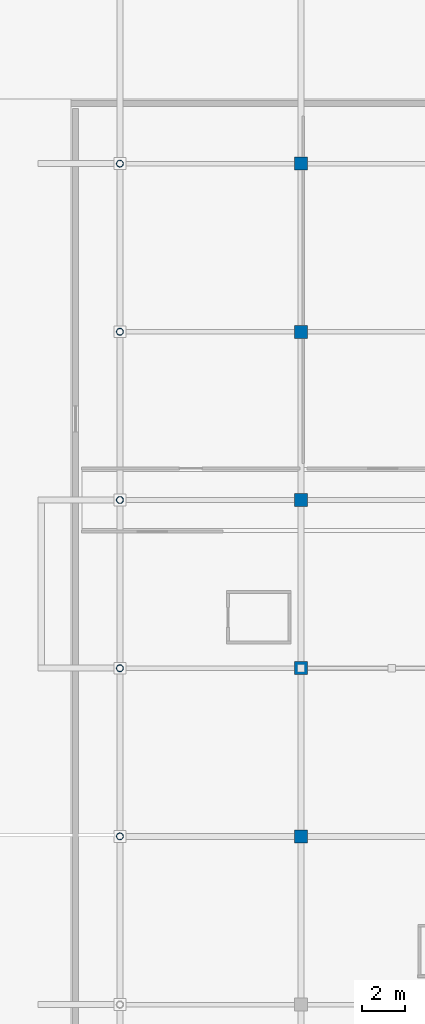
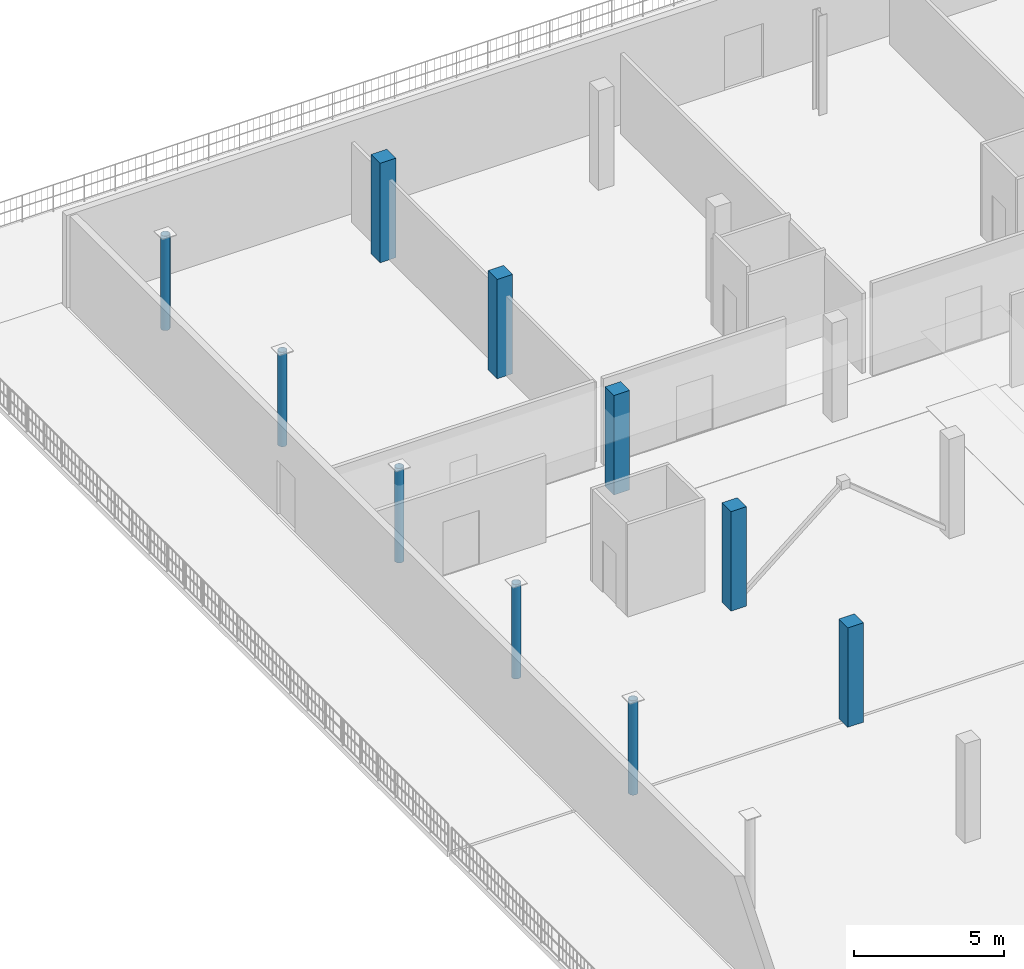
# One storey, part 2 of 25: 10 columns.
"""IFC4 building model written with IfcOpenShell, lengths in metres."""

from ifc_helpers import new_model, si_unit, direction, frame, origin, origin_2d, place, context, subcontext, project, spatial, rectangle, hollow_circle, extrude, material, material_profile, profile_set, type_object, element, save


model = new_model("IFC4")

# Units and contexts
model_context = context("Model", 3, precision=1e-05, world=origin(), true_north=direction((0.0, 1.0)))
body_context = subcontext(model_context, "Body", "Model", "MODEL_VIEW")
ifc_project = project(units=[si_unit("LENGTHUNIT", "METRE"), si_unit("AREAUNIT", "SQUARE_METRE"), si_unit("VOLUMEUNIT", "CUBIC_METRE"), si_unit("PLANEANGLEUNIT", "RADIAN"), si_unit("MASSUNIT", "GRAM", prefix="KILO")], contexts=[model_context])

# Site, building, storey
site_placement = place(None, origin())
site = spatial("IfcSite", under=ifc_project, at=site_placement, CompositionType="ELEMENT")
building_placement = place(site_placement, origin())
building = spatial("IfcBuilding", under=site, at=building_placement, Name="Nabrawat Pavilion Hospital", CompositionType="ELEMENT")
storey_placement = place(building_placement, frame((0.0, 0.0, 22.949951171875)))
storey = spatial("IfcBuildingStorey", under=building, at=storey_placement, Name="L05", CompositionType="ELEMENT", Elevation=22.949951171875)

# Columns
ifc_material_1 = material(Name="Steel S355", Category="steel")
ifc_material_profile_1 = material_profile(ifc_material_1, hollow_circle(Radius=0.161865234375, WallThickness=0.01611328125, at=origin_2d()), Name="CHS 323.9x16")
ifc_profile_set_1 = profile_set([ifc_material_profile_1], Name="Steel S355")
column_type_1 = type_object("IfcColumnType", Name="Helipad Terrace Colonnade Column CHS 323.9x16", PredefinedType="COLUMN", material=ifc_profile_set_1)
for number, where, z_axis, x_axis, name in (
    (1, (142.800048828125, 85.800048828125, 0.0), (0.0, 0.0, 1.0), (1.0, 0.0, 0.0), "L05 Structural Column G-18-M1"),
    (2, (142.800048828125, 93.60009765625, 0.0), (0.0, 0.0, 1.0), (1.0, 0.0, 0.0), "L05 Structural Column G-18-N"),
    (3, (142.800048828125, 101.39990234375, 0.0), (0.0, 0.0, 1.0), (1.0, 0.0, 0.0), "L05 Structural Column G-18-P"),
    (4, (142.800048828125, 109.199951171875, 0.0), (0.0, 0.0, 1.0), (1.0, 0.0, 0.0), "L05 Structural Column G-18-Q"),
    (5, (142.800048828125, 117.0, 0.0), (0.0, 0.0, 1.0), (1.0, 0.0, 0.0), "L05 Structural Column G-18-R"),
):
    element("IfcColumn", number, at=place(storey_placement, frame(where, z_axis=z_axis, x_axis=x_axis)), inside=storey, type_object=column_type_1, Name=name, PredefinedType="COLUMN", context=body_context, shape_type="SweptSolid", body=[
        extrude(hollow_circle(Radius=0.161865234375, WallThickness=0.01611328125, at=origin_2d()), origin(), (0.0, 0.0, 1.0), 3.840087890625),
    ])
ifc_material_2 = material(Name="Concrete C40/50", Category="concrete")
ifc_material_profile_2 = material_profile(ifc_material_2, rectangle(XDim=0.60009765625, YDim=0.60009765625, at=origin_2d()), Name="RC 600x600")
ifc_profile_set_2 = profile_set([ifc_material_profile_2], Name="Concrete C40/50")
column_type_2 = type_object("IfcColumnType", Name="Upper Ward RC Column 600x600", PredefinedType="COLUMN", material=ifc_profile_set_2)
for number, where, z_axis, x_axis, name in (
    (6, (151.199951171875, 85.800048828125, 0.0), (0.0, 0.0, 1.0), (1.0, 0.0, 0.0), "L05 Structural Column G-19-M1"),
    (7, (151.199951171875, 93.60009765625, 0.0), (0.0, 0.0, 1.0), (1.0, 0.0, 0.0), "L05 Structural Column G-19-N"),
    (8, (151.199951171875, 101.39990234375, 0.0), (0.0, 0.0, 1.0), (1.0, 0.0, 0.0), "L05 Structural Column G-19-P"),
    (9, (151.199951171875, 109.199951171875, 0.0), (0.0, 0.0, 1.0), (1.0, 0.0, 0.0), "L05 Structural Column G-19-Q"),
    (10, (151.199951171875, 117.0, 0.0), (0.0, 0.0, 1.0), (1.0, 0.0, 0.0), "L05 Structural Column G-19-R"),
):
    element("IfcColumn", number, at=place(storey_placement, frame(where, z_axis=z_axis, x_axis=x_axis)), inside=storey, type_object=column_type_2, Name=name, PredefinedType="COLUMN", context=body_context, shape_type="SweptSolid", body=[
        extrude(rectangle(XDim=0.60009765625, YDim=0.60009765625, at=origin_2d()), origin(), (0.0, 0.0, 1.0), 4.050048828125),
    ])

save(model, "model.ifc")
